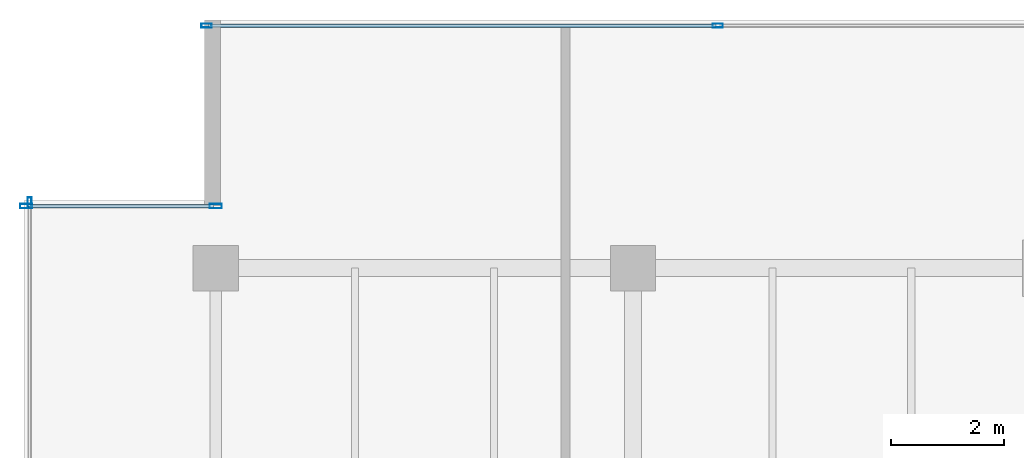
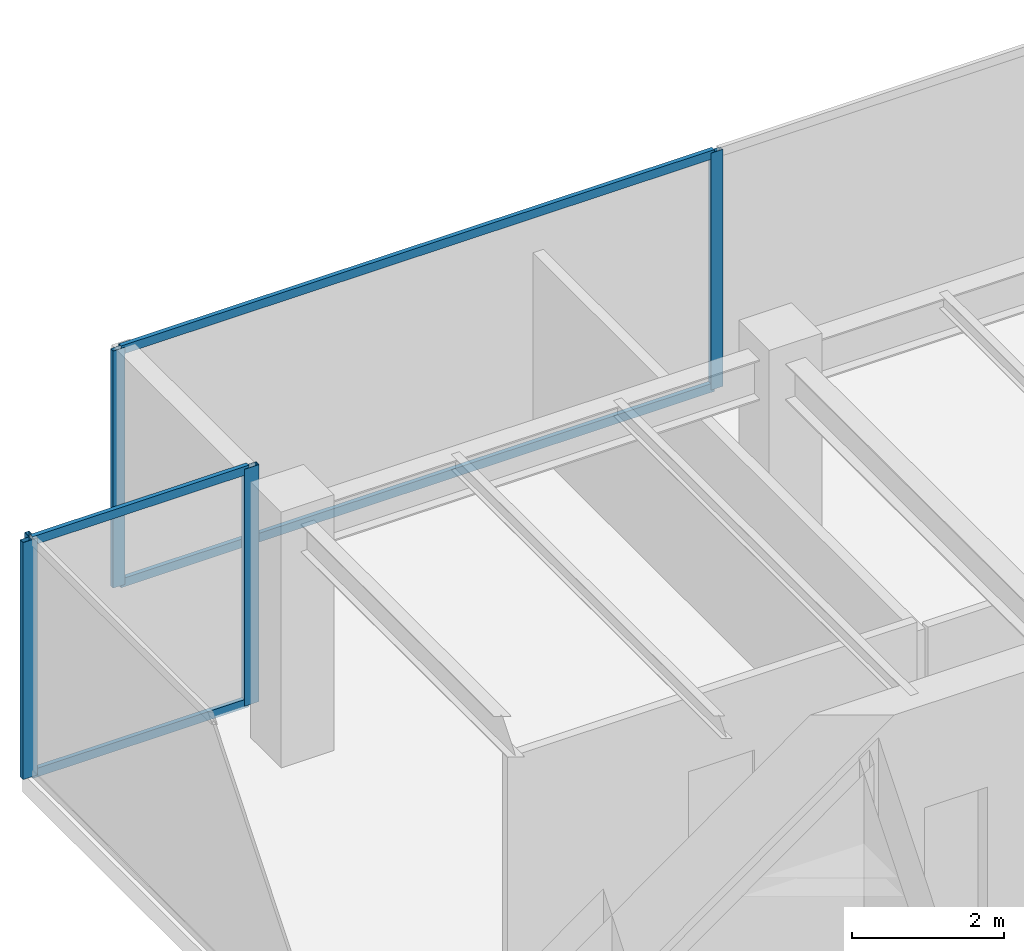
# One storey, part 15 of 33: 9 members, 3 elements without a shape of their own.
"""IFC4 building model written with IfcOpenShell, lengths in metres."""

from ifc_helpers import new_model, si_unit, direction, frame, origin, origin_2d, place, context, subcontext, project, spatial, hollow_rectangle, extrude, source, transform, mapped, material, layer, layer_set, material_profile, profile_set, type_object, type_shapes, element, aggregate, save


model = new_model("IFC4")

# Units and contexts
model_context = context("Model", 3, precision=1e-05, world=origin(), true_north=direction((0.0, 1.0)))
body_context = subcontext(model_context, "Body", "Model", "MODEL_VIEW")
ifc_project = project(units=[si_unit("LENGTHUNIT", "METRE"), si_unit("AREAUNIT", "SQUARE_METRE"), si_unit("VOLUMEUNIT", "CUBIC_METRE"), si_unit("PLANEANGLEUNIT", "RADIAN"), si_unit("MASSUNIT", "GRAM", prefix="KILO")], contexts=[model_context])

# Site, building, storey
site_placement = place(None, origin())
site = spatial("IfcSite", under=ifc_project, at=site_placement, CompositionType="ELEMENT")
building_placement = place(site_placement, origin())
building = spatial("IfcBuilding", under=site, at=building_placement, Name="Haelvirn Gate Laboratories", CompositionType="ELEMENT")
storey_placement = place(building_placement, frame((0.0, 0.0, 275.199951171875)))
storey = spatial("IfcBuildingStorey", under=building, at=storey_placement, Name="L66", CompositionType="ELEMENT", Elevation=275.199951171875)

# Curtain wall, members
ifc_material_1 = material(Name="Anodised bronze unitised aluminium & triple low-E glass", Category="aluminium")
ifc_layer_1 = layer(ifc_material_1, 0.181884765625, Name="CW-SYS-5")
ifc_layer_set_1 = layer_set([ifc_layer_1], Name="Anodised bronze unitised aluminium & triple low-E glass")
curtain_wall_type_1 = type_object("IfcCurtainWallType", Name="CW-SYS-5", PredefinedType="NOTDEFINED", material=ifc_layer_set_1)
curtain_wall_1_placement = place(storey_placement, origin())
curtain_wall_1 = element("IfcCurtainWall", 1, at=curtain_wall_1_placement, inside=storey, type_object=curtain_wall_type_1, Name="L66 Unitised Curtain Wall CW-L66-P0-E16-1", PredefinedType="NOTDEFINED")
ifc_material_2 = material(Name="Extruded aluminium 6063-T6 (anodised bronze)", Category="aluminium")
ifc_material_profile_1 = material_profile(ifc_material_2, hollow_rectangle(XDim=0.06494140625, YDim=0.139892578125, WallThickness=0.00390625, at=origin_2d()), Name="CWT-140x65x4")
ifc_profile_set_1 = profile_set([ifc_material_profile_1], Name="Extruded aluminium 6063-T6 (anodised bronze)")
member_type_1 = type_object("IfcMemberType", Name="CWT-T140", PredefinedType="USERDEFINED", material=ifc_profile_set_1)
shared_shape_1 = source(origin(), body_context, "Body", "SweptSolid", [
    extrude(hollow_rectangle(XDim=0.06494140625, YDim=0.139892578125, WallThickness=0.00390625, at=origin_2d()), origin(), (0.0, 0.0, 1.0), 3.280029296875),
])
member_1_placement = place(storey_placement, frame((4.080078125, 42.699951171875, 0.032470703125), z_axis=(1.0, 0.0, 0.0), x_axis=(0.0, 1.0, 0.0)))
member_1 = element("IfcMember", 2, at=member_1_placement, type_object=member_type_1, Name="CW5 transom 1.1", ObjectType="TRANSOM", PredefinedType="USERDEFINED", context=body_context, shape_type="MappedRepresentation", body=[
    mapped(shared_shape_1, transform((0.0, 0.0, 0.0), scale=1.0)),
])
member_2_placement = place(storey_placement, frame((4.080078125, 42.699951171875, 3.767578125), z_axis=(1.0, 0.0, 0.0), x_axis=(0.0, 1.0, 0.0)))
member_2 = element("IfcMember", 3, at=member_2_placement, type_object=member_type_1, Name="CW5 transom 1.2", ObjectType="TRANSOM", PredefinedType="USERDEFINED", context=body_context, shape_type="MappedRepresentation", body=[
    mapped(shared_shape_1, transform((0.0, 0.0, 0.0), scale=1.0)),
])

ifc_layer_2 = layer(ifc_material_1, 0.176025390625, Name="CW-SYS-4")
ifc_layer_set_2 = layer_set([ifc_layer_2], Name="Anodised bronze unitised aluminium & triple low-E glass")
curtain_wall_type_2 = type_object("IfcCurtainWallType", Name="CW-SYS-4", PredefinedType="NOTDEFINED", material=ifc_layer_set_2)
curtain_wall_2_placement = place(storey_placement, origin())
curtain_wall_2 = element("IfcCurtainWall", 4, at=curtain_wall_2_placement, inside=storey, type_object=curtain_wall_type_2, Name="L66 Unitised Curtain Wall CW-L66-P0-E14-1", PredefinedType="NOTDEFINED")
ifc_material_profile_2 = material_profile(ifc_material_2, hollow_rectangle(XDim=0.070068359375, YDim=0.179931640625, WallThickness=0.0048828125, at=origin_2d()), Name="CWM-180x70x5")
ifc_profile_set_2 = profile_set([ifc_material_profile_2], Name="Extruded aluminium 6063-T6 (anodised bronze)")
member_type_2 = type_object("IfcMemberType", Name="CWM-T180", PredefinedType="MULLION", material=ifc_profile_set_2)
shared_shape_2 = source(origin(), body_context, "Body", "SweptSolid", [
    extrude(hollow_rectangle(XDim=0.070068359375, YDim=0.179931640625, WallThickness=0.0048828125, at=origin_2d()), origin(), (0.0, 0.0, 1.0), 3.800048828125),
])
type_shapes(member_type_2, [shared_shape_2])
member_3_placement = place(storey_placement, frame((7.235107421875, 45.89990234375, 0.0), z_axis=(0.0, 0.0, 1.0), x_axis=(0.0, 1.0, 0.0)))
member_3 = element("IfcMember", 5, at=member_3_placement, type_object=member_type_2, Name="CW4 mullion 1", PredefinedType="MULLION", context=body_context, shape_type="MappedRepresentation", body=[
    mapped(shared_shape_2, transform((0.0, 0.0, 0.0), scale=1.0)),
])
member_4_placement = place(storey_placement, frame((16.300048828125, 45.89990234375, 0.0), z_axis=(0.0, 0.0, 1.0), x_axis=(0.0, 1.0, 0.0)))
member_4 = element("IfcMember", 6, at=member_4_placement, type_object=member_type_2, Name="CW4 mullion 2", PredefinedType="MULLION", context=body_context, shape_type="MappedRepresentation", body=[
    mapped(shared_shape_2, transform((0.0, 0.0, 0.0), scale=1.0)),
])

# Curtain wall, member
curtain_wall_3_placement = place(storey_placement, origin())
curtain_wall_3 = element("IfcCurtainWall", 7, at=curtain_wall_3_placement, inside=storey, type_object=curtain_wall_type_2, Name="L66 Unitised Curtain Wall CW-L66-P0-E17", PredefinedType="NOTDEFINED")
member_5_placement = place(storey_placement, frame((4.10009765625, 42.764892578125, 0.0), z_axis=(0.0, 0.0, 1.0), x_axis=(1.0, 0.0, 0.0)))
member_5 = element("IfcMember", 8, at=member_5_placement, type_object=member_type_2, Name="CW4 mullion 1", PredefinedType="MULLION", context=body_context, shape_type="MappedRepresentation", body=[
    mapped(shared_shape_2, transform((0.0, 0.0, 0.0), scale=1.0)),
])
aggregate(curtain_wall_3, [member_5])

# Member
shared_shape_3 = source(origin(), body_context, "Body", "SweptSolid", [
    extrude(hollow_rectangle(XDim=0.06494140625, YDim=0.139892578125, WallThickness=0.00390625, at=origin_2d()), origin(), (0.0, 0.0, 1.0), 8.994873046875),
])
type_shapes(member_type_1, [shared_shape_1, shared_shape_3])
member_6_placement = place(storey_placement, frame((7.27001953125, 45.89990234375, 0.032470703125), z_axis=(1.0, 0.0, 0.0), x_axis=(0.0, 1.0, 0.0)))
member_6 = element("IfcMember", 9, at=member_6_placement, type_object=member_type_1, Name="CW4 transom 1.1", ObjectType="TRANSOM", PredefinedType="USERDEFINED", context=body_context, shape_type="MappedRepresentation", body=[
    mapped(shared_shape_3, transform((0.0, 0.0, 0.0), scale=1.0)),
])

member_7_placement = place(storey_placement, frame((7.27001953125, 45.89990234375, 3.767578125), z_axis=(1.0, 0.0, 0.0), x_axis=(0.0, 1.0, 0.0)))
member_7 = element("IfcMember", 10, at=member_7_placement, type_object=member_type_1, Name="CW4 transom 1.2", ObjectType="TRANSOM", PredefinedType="USERDEFINED", context=body_context, shape_type="MappedRepresentation", body=[
    mapped(shared_shape_3, transform((0.0, 0.0, 0.0), scale=1.0)),
])

aggregate(curtain_wall_2, [member_3, member_4, member_6, member_7])

ifc_material_profile_3 = material_profile(ifc_material_2, hollow_rectangle(XDim=0.080078125, YDim=0.219970703125, WallThickness=0.006103515625, at=origin_2d()), Name="CWM-220x80x6")
ifc_profile_set_3 = profile_set([ifc_material_profile_3], Name="Extruded aluminium 6063-T6 (anodised bronze)")
member_type_3 = type_object("IfcMemberType", Name="CWM-T220", PredefinedType="MULLION", material=ifc_profile_set_3)
shared_shape_4 = source(origin(), body_context, "Body", "SweptSolid", [
    extrude(hollow_rectangle(XDim=0.080078125, YDim=0.219970703125, WallThickness=0.006103515625, at=origin_2d()), origin(), (0.0, 0.0, 1.0), 3.800048828125),
])
type_shapes(member_type_3, [shared_shape_4])
member_8_placement = place(storey_placement, frame((4.0400390625, 42.699951171875, 0.0), z_axis=(0.0, 0.0, 1.0), x_axis=(0.0, 1.0, 0.0)))
member_8 = element("IfcMember", 11, at=member_8_placement, type_object=member_type_3, Name="CW5 mullion 1", PredefinedType="MULLION", context=body_context, shape_type="MappedRepresentation", body=[
    mapped(shared_shape_4, transform((0.0, 0.0, 0.0), scale=1.0)),
])

member_9_placement = place(storey_placement, frame((7.39990234375, 42.699951171875, 0.0), z_axis=(0.0, 0.0, 1.0), x_axis=(0.0, 1.0, 0.0)))
member_9 = element("IfcMember", 12, at=member_9_placement, type_object=member_type_3, Name="CW5 mullion 2", PredefinedType="MULLION", context=body_context, shape_type="MappedRepresentation", body=[
    mapped(shared_shape_4, transform((0.0, 0.0, 0.0), scale=1.0)),
])

aggregate(curtain_wall_1, [member_8, member_9, member_1, member_2])

save(model, "model.ifc")
